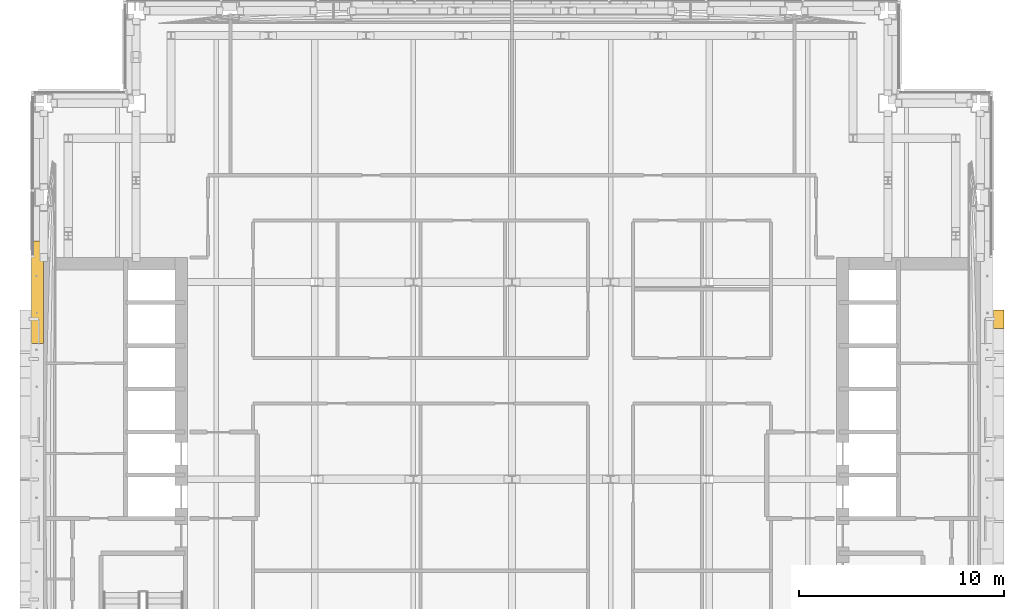
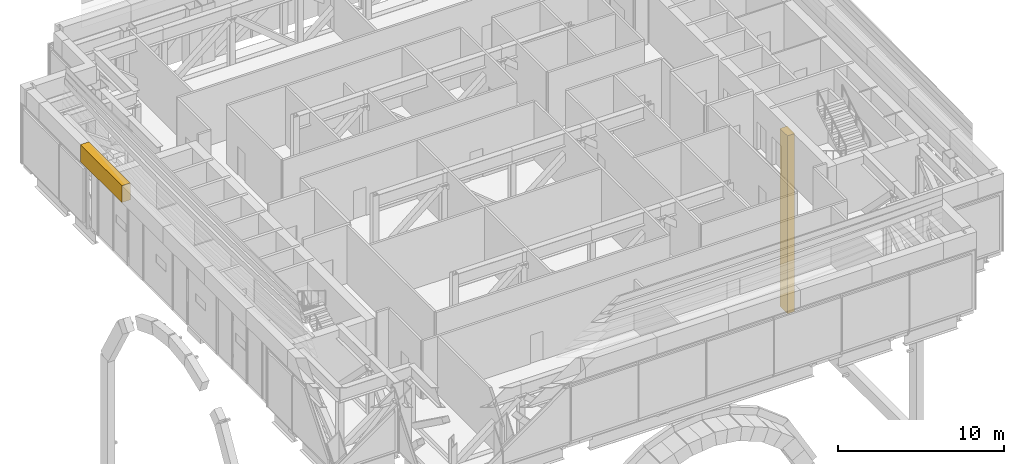
# One storey, part 34 of 38: 2 coverings.
"""IFC4 building model written with IfcOpenShell, lengths in metres."""

from ifc_helpers import new_model, si_unit, direction, frame, origin, origin_2d, place, context, subcontext, project, spatial, polyline, rectangle, outline, extrude, material, material_profile, profile_set, type_object, element, save


model = new_model("IFC4")

# Units and contexts
model_context = context("Model", 3, precision=1e-05, world=origin(), true_north=direction((0.0, 1.0)))
body_context = subcontext(model_context, "Body", "Model", "MODEL_VIEW")
ifc_project = project(units=[si_unit("LENGTHUNIT", "METRE"), si_unit("AREAUNIT", "SQUARE_METRE"), si_unit("VOLUMEUNIT", "CUBIC_METRE"), si_unit("PLANEANGLEUNIT", "RADIAN"), si_unit("MASSUNIT", "GRAM", prefix="KILO")], contexts=[model_context])

# Site, building, storey
site_placement = place(None, origin())
site = spatial("IfcSite", under=ifc_project, at=site_placement, CompositionType="ELEMENT")
building_placement = place(site_placement, origin())
building = spatial("IfcBuilding", under=site, at=building_placement, Name="Cobrizo Arcos Hotel Tower", CompositionType="ELEMENT")
storey_placement = place(building_placement, frame((0.0, 0.0, 138.0)))
storey = spatial("IfcBuildingStorey", under=building, at=storey_placement, Name="L35", CompositionType="ELEMENT", Elevation=138.0)

# Coverings
ifc_material = material(Name="Aluminium 6063-T6 anodised pale", Category="aluminium")
ifc_material_profile = material_profile(ifc_material, rectangle(XDim=0.5, YDim=0.89990234375, at=origin_2d()), Name="AF-2 core arch rim 500x900")
ifc_profile_set = profile_set([ifc_material_profile], Name="Aluminium 6063-T6 anodised pale")
covering_type_1 = type_object("IfcCoveringType", Name="AF-2 core arch rim 500x900", PredefinedType="CLADDING", material=ifc_profile_set)
covering_1_placement = place(storey_placement, frame((23.699951171875, 7.800048828125, -20.550048828125), z_axis=(0.0, 0.0, 1.0), x_axis=(1.0, 0.0, 0.0)))
element("IfcCovering", 1, at=covering_1_placement, inside=storey, type_object=covering_type_1, Name="Arch rim B E face", PredefinedType="CLADDING", context=body_context, shape_type="SweptSolid", body=[
    extrude(rectangle(XDim=0.5, YDim=0.89990234375, at=origin_2d()), origin(), (0.0, 0.0, 1.0), 13.117431640625),
])
covering_type_2 = type_object("IfcCoveringType", Name="LF-1 setback skirt", PredefinedType="CLADDING", material=ifc_material)
covering_2_placement = place(storey_placement, frame((0.0, 0.0, 4.5)))
element("IfcCovering", 2, at=covering_2_placement, inside=storey, type_object=covering_type_2, Name="Setback skirt L35", PredefinedType="CLADDING", context=body_context, shape_type="SweptSolid", body=[
    extrude(outline(polyline([(-22.81005859375, 6.60009765625), (-22.81005859375, 11.60009765625), (-23.39990234375, 11.60009765625), (-23.39990234375, 6.60009765625), (-22.81005859375, 6.60009765625)])), origin(), (0.0, 0.0, 1.0), 1.25),
])

save(model, "model.ifc")
